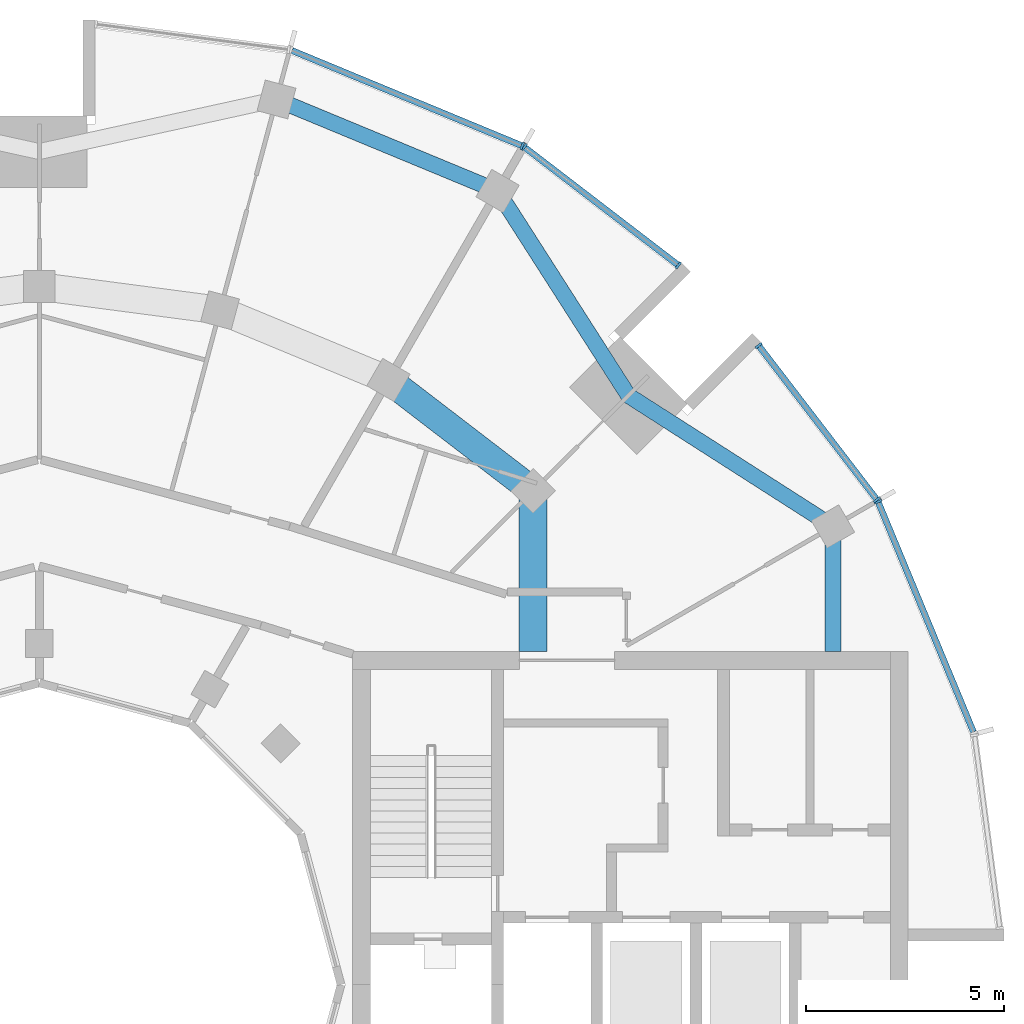
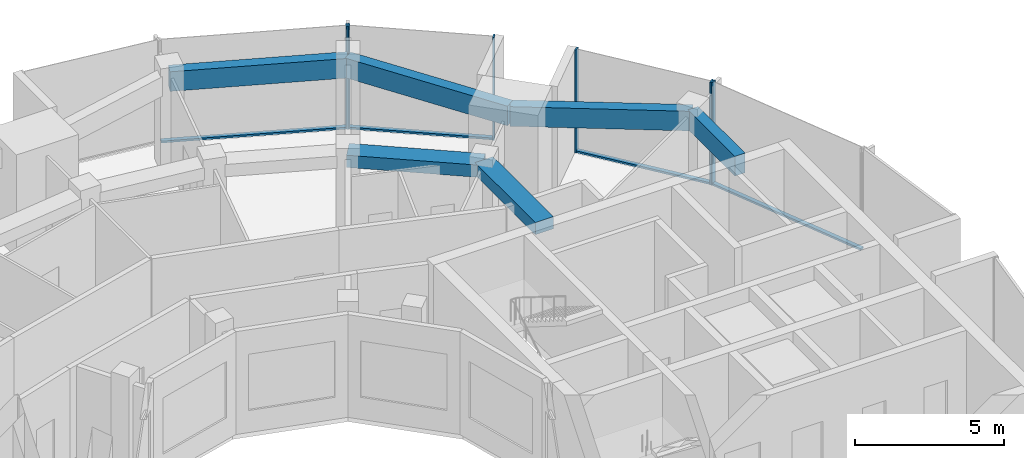
# One storey, part 6 of 15: 10 members, 6 beams, 4 elements without a shape of their own.
"""IFC4 building model written with IfcOpenShell, lengths in metres."""

import ifcopenshell
import ifcopenshell.guid

model = None  # the IFC model being written
_history = None  # IfcOwnerHistory: only IFC2X3 demands one
_inside = {}  # id of a spatial element -> (the spatial element, [elements in it])
_under = {}  # id of a project, library or spatial element -> (it, [spatial elements below it])
_declared = {}  # id of a project -> (the project, [libraries it declares])
_typed = {}  # id of a type object -> (the type object, [elements of that type])
_made_of = {}  # id of a material, layer set ... -> (it, [elements and type objects made of it])


def new_model(schema):
    """Start an empty IFC model of exactly this schema.

    Asked for "IFC4X3", IfcOpenShell would pick the latest addendum, in which some entities
    have other attributes; the version numbers below select the first issue.
    IFC2X3 requires an IfcOwnerHistory on every rooted entity: one is made here for all.
    """
    global model, _history
    if schema == "IFC4X3":
        model = ifcopenshell.file(schema_version=(4, 3, 0, 0))
    else:
        model = ifcopenshell.file(schema=schema)
    _inside.clear()
    _under.clear()
    _declared.clear()
    _typed.clear()
    _made_of.clear()
    _history = None
    if model.schema == "IFC2X3":
        org = make("IfcOrganization", Name="unknown")
        user = make(
            "IfcPersonAndOrganization",
            ThePerson=make("IfcPerson", FamilyName="unknown"),
            TheOrganization=org,
        )
        app = make(
            "IfcApplication",
            ApplicationDeveloper=org,
            Version="unknown",
            ApplicationFullName="unknown",
            ApplicationIdentifier="unknown",
        )
        _history = make(
            "IfcOwnerHistory",
            OwningUser=user,
            OwningApplication=app,
            ChangeAction="ADDED",
            CreationDate=0,
        )
    return model


def make(cls, **values):
    """One entity of the class cls with the attributes given. An attribute that is None is left unset."""
    return model.create_entity(
        cls, **{name: value for name, value in values.items() if value is not None}
    )


def rooted(cls, **values):
    """An entity with a GlobalId (a new one), such as an element, a storey or a relation."""
    return make(cls, GlobalId=ifcopenshell.guid.new(), OwnerHistory=_history, **values)


def si_unit(unit_type, name, prefix=None):
    """IfcSIUnit, for example si_unit("LENGTHUNIT", "METRE", prefix="MILLI")."""
    return make("IfcSIUnit", UnitType=unit_type, Prefix=prefix, Name=name)


def assignment(units):
    """IfcUnitAssignment: the units of a project."""
    return None if units is None else make("IfcUnitAssignment", Units=units)


def point(xyz):
    """IfcCartesianPoint."""
    return None if xyz is None else make("IfcCartesianPoint", Coordinates=xyz)


def direction(xyz):
    """IfcDirection."""
    return None if xyz is None else make("IfcDirection", DirectionRatios=xyz)


def frame(location, z_axis=None, x_axis=None):
    """IfcAxis2Placement3D, a coordinate frame: its origin and axes. An axis left out is left unset."""
    return make(
        "IfcAxis2Placement3D",
        Location=point(location),
        Axis=direction(z_axis),
        RefDirection=direction(x_axis),
    )


def frame_2d(location, x_axis=None):
    """IfcAxis2Placement2D, a coordinate frame in the plane: its origin and x axis."""
    return make(
        "IfcAxis2Placement2D", Location=point(location), RefDirection=direction(x_axis)
    )


def origin():
    """The frame at (0, 0, 0) with its axes left unset."""
    return frame((0.0, 0.0, 0.0))


def origin_2d():
    """The frame at (0, 0) in the plane with its x axis left unset."""
    return frame_2d((0.0, 0.0))


def place(relative_to, where):
    """IfcLocalPlacement: puts the frame where relative to a parent placement (None: the world)."""
    return make(
        "IfcLocalPlacement", PlacementRelTo=relative_to, RelativePlacement=where
    )


def context(
    kind, dimensions, precision=None, world=None, true_north=None, identifier=None
):
    """IfcGeometricRepresentationContext, for example the 3D "Model" context."""
    return make(
        "IfcGeometricRepresentationContext",
        ContextIdentifier=identifier,
        ContextType=kind,
        CoordinateSpaceDimension=dimensions,
        Precision=precision,
        WorldCoordinateSystem=world,
        TrueNorth=true_north,
    )


def subcontext(parent, identifier, kind, view, scale=None):
    """IfcGeometricRepresentationSubContext, for example "Body" below "Model"."""
    return make(
        "IfcGeometricRepresentationSubContext",
        ContextIdentifier=identifier,
        ContextType=kind,
        ParentContext=parent,
        TargetScale=scale,
        TargetView=view,
    )


def project(units=None, contexts=None):
    """IfcProject with its units and contexts."""
    return rooted(
        "IfcProject",
        Name="project",
        RepresentationContexts=contexts,
        UnitsInContext=assignment(units),
    )


def spatial(cls, under=None, at=None, **own):
    """A site, building, storey or space (cls), placed at a placement, below another one or the project."""
    s = rooted(cls, ObjectPlacement=at, **own)
    if under is not None:
        _under.setdefault(under.id(), (under, []))[1].append(s)
    return s


def profile(cls, at=None, kind="AREA", **sizes):
    """A parametric profile (cls). Its sizes go by their IFC names, for example OverallWidth=200.0."""
    return make(cls, ProfileType=kind, Position=at, **sizes)


def rectangle(**sizes):
    """IfcRectangleProfileDef."""
    return profile("IfcRectangleProfileDef", **sizes)


def extrude(swept, where, along, depth):
    """IfcExtrudedAreaSolid: the profile swept, set in the frame where, extruded along a direction by depth."""
    return make(
        "IfcExtrudedAreaSolid",
        SweptArea=swept,
        Position=where,
        ExtrudedDirection=direction(along),
        Depth=depth,
    )


def shape(context_of_items, identifier, shape_type, items):
    """IfcShapeRepresentation: the items that make up one representation, for example the "Body"."""
    return make(
        "IfcShapeRepresentation",
        ContextOfItems=context_of_items,
        RepresentationIdentifier=identifier,
        RepresentationType=shape_type,
        Items=items,
    )


def material(Name=None, Category=None):
    """IfcMaterial."""
    return make("IfcMaterial", Name=Name, Category=Category)


def layer(
    of_material, thickness, ventilated=None, Name=None, Category=None, Priority=None
):
    """IfcMaterialLayer: one layer of a wall or slab, of a material (None: an air gap)."""
    return make(
        "IfcMaterialLayer",
        Material=of_material,
        LayerThickness=thickness,
        IsVentilated=ventilated,
        Name=Name,
        Category=Category,
        Priority=Priority,
    )


def layer_set(layers, Name=None):
    """IfcMaterialLayerSet."""
    return make("IfcMaterialLayerSet", MaterialLayers=layers, LayerSetName=Name)


def material_profile(
    of_material, cross_section, Name=None, Category=None, Priority=None
):
    """IfcMaterialProfile: a cross section and its material."""
    return make(
        "IfcMaterialProfile",
        Name=Name,
        Material=of_material,
        Profile=cross_section,
        Priority=Priority,
        Category=Category,
    )


def profile_set(profiles, Name=None, composite=None):
    """IfcMaterialProfileSet."""
    return make(
        "IfcMaterialProfileSet",
        Name=Name,
        MaterialProfiles=profiles,
        CompositeProfile=composite,
    )


def made_of(thing, what):
    """Note that an element or type object is made of a material, layer set ...; save() writes the relation."""
    if what is not None:
        _made_of.setdefault(what.id(), (what, []))[1].append(thing)
    return thing


def type_object(cls, material=None, **own):
    """A type object (cls), such as IfcWallType, which elements share."""
    return made_of(rooted(cls, **own), material)


def element(
    cls,
    number,
    at=None,
    inside=None,
    cuts=None,
    type_object=None,
    material=None,
    context=None,
    identifier="Body",
    shape_type=None,
    held_by="IfcProductDefinitionShape",
    body=None,
    shapes=None,
    **own,
):
    """One element of the class cls, such as IfcWall. Its Tag is "e" and its number.

    at: its placement. inside: the storey or other place that contains it. cuts: it is an
    opening in that element (IfcRelVoidsElement). A single representation is given by context,
    identifier, shape_type and body (its items); several are given by shapes. held_by: the class
    of the entity that holds the representations. save() writes the other relations.
    """
    e = rooted(cls, Tag="e%d" % number, ObjectPlacement=at, **own)
    if body is not None:
        shapes = [shape(context, identifier, shape_type, body)]
    if shapes is not None:
        e.Representation = make(held_by, Representations=shapes)
    if inside is not None:
        _inside.setdefault(inside.id(), (inside, []))[1].append(e)
    if cuts is not None:
        rooted(
            "IfcRelVoidsElement", RelatingBuildingElement=cuts, RelatedOpeningElement=e
        )
    if type_object is not None:
        _typed.setdefault(type_object.id(), (type_object, []))[1].append(e)
    return made_of(e, material)


def aggregate(whole, parts):
    """IfcRelAggregates: a whole, such as a stair, and the parts it consists of."""
    return rooted("IfcRelAggregates", RelatingObject=whole, RelatedObjects=parts)


def save(model, path):
    """Write the relations noted so far, then the file.

    IfcRelAggregates (storeys below a building ...), IfcRelContainedInSpatialStructure (elements
    in a storey), IfcRelDefinesByType, IfcRelAssociatesMaterial and IfcRelDeclares: one each for
    every whole, place, type object, material and project.
    """
    for whole, parts in _under.values():
        aggregate(whole, parts)
    for where, things in _inside.values():
        rooted(
            "IfcRelContainedInSpatialStructure",
            RelatedElements=things,
            RelatingStructure=where,
        )
    for kind, things in _typed.values():
        rooted("IfcRelDefinesByType", RelatedObjects=things, RelatingType=kind)
    for what, things in _made_of.values():
        rooted("IfcRelAssociatesMaterial", RelatedObjects=things, RelatingMaterial=what)
    for by, libraries in _declared.values():
        rooted("IfcRelDeclares", RelatingContext=by, RelatedDefinitions=libraries)
    model.write(path)


model = new_model("IFC4")

# Units and contexts
model_context = context("Model", 3, precision=1e-05, world=origin(), true_north=direction((0.0, 1.0)))
body_context = subcontext(model_context, "Body", "Model", "MODEL_VIEW")
ifc_project = project(units=[si_unit("LENGTHUNIT", "METRE"), si_unit("AREAUNIT", "SQUARE_METRE"), si_unit("VOLUMEUNIT", "CUBIC_METRE"), si_unit("PLANEANGLEUNIT", "RADIAN"), si_unit("MASSUNIT", "GRAM", prefix="KILO")], contexts=[model_context])

# Site, building, storey
site_placement = place(None, origin())
site = spatial("IfcSite", under=ifc_project, at=site_placement, CompositionType="ELEMENT")
building_placement = place(site_placement, origin())
building = spatial("IfcBuilding", under=site, at=building_placement, Name="Torre Brocal", CompositionType="ELEMENT")
storey_placement = place(building_placement, frame((0.0, 0.0, 284.10009765625)))
storey = spatial("IfcBuildingStorey", under=building, at=storey_placement, Name="L65", CompositionType="ELEMENT", Elevation=284.10009765625)

# Curtain wall, member
ifc_material_1 = material(Name="Aluminium and glass", Category="aluminium")
ifc_layer = layer(ifc_material_1, 0.199951171875)
ifc_layer_set = layer_set([ifc_layer], Name="Aluminium and glass")
curtain_wall_type = type_object("IfcCurtainWallType", Name="CW-1 CURTAIN WALL 4200 HIGH", PredefinedType="NOTDEFINED", material=ifc_layer_set)
curtain_wall_1_placement = place(storey_placement, origin())
curtain_wall_1 = element("IfcCurtainWall", 1, at=curtain_wall_1_placement, inside=storey, type_object=curtain_wall_type, Name="CW-1 RUN 2", PredefinedType="NOTDEFINED")
ifc_material_2 = material(Name="Aluminium, dark anodised", Category="aluminium")
ifc_material_profile_1 = material_profile(ifc_material_2, rectangle(XDim=0.199951171875, YDim=0.06005859375, at=origin_2d()), Name="CW-1 MULLION 60X200")
ifc_profile_set_1 = profile_set([ifc_material_profile_1], Name="Aluminium, dark anodised")
member_type_1 = type_object("IfcMemberType", Name="CW-1 MULLION 60X200", PredefinedType="MULLION", material=ifc_profile_set_1)
member_1_placement = place(storey_placement, frame((101.141845703125, 87.171875, 0.0), z_axis=(0.0, 0.0, 1.0), x_axis=(-0.923879532471, -0.382683432462, 0.0)))
member_1 = element("IfcMember", 2, at=member_1_placement, type_object=member_type_1, Name="CW1-5 mullion 2", PredefinedType="MULLION", context=body_context, shape_type="SweptSolid", body=[
    extrude(rectangle(XDim=0.199951171875, YDim=0.06005859375, at=origin_2d()), origin(), (0.0, 0.0, 1.0), 4.199951171875),
])

# Curtain wall, members
curtain_wall_2_placement = place(storey_placement, origin())
curtain_wall_2 = element("IfcCurtainWall", 3, at=curtain_wall_2_placement, inside=storey, type_object=curtain_wall_type, Name="CW-1 RUN 3", PredefinedType="NOTDEFINED")
member_2_placement = place(storey_placement, frame((101.112060546875, 87.223388671875, 0.0), z_axis=(0.0, 0.0, 1.0), x_axis=(-0.793353340344, -0.608761428939, 0.0)))
member_2 = element("IfcMember", 4, at=member_2_placement, type_object=member_type_1, Name="CW1-5 mullion 1", PredefinedType="MULLION", context=body_context, shape_type="SweptSolid", body=[
    extrude(rectangle(XDim=0.199951171875, YDim=0.06005859375, at=origin_2d()), origin(), (0.0, 0.0, 1.0), 4.199951171875),
])
member_3_placement = place(storey_placement, frame((98.130615234375, 91.108642578125, 0.0), z_axis=(0.0, 0.0, 1.0), x_axis=(-0.793353340344, -0.608761428939, 0.0)))
member_3 = element("IfcMember", 5, at=member_3_placement, type_object=member_type_1, Name="CW1-5 mullion 2", PredefinedType="MULLION", context=body_context, shape_type="SweptSolid", body=[
    extrude(rectangle(XDim=0.199951171875, YDim=0.06005859375, at=origin_2d()), origin(), (0.0, 0.0, 1.0), 4.199951171875),
])

curtain_wall_3_placement = place(storey_placement, origin())
curtain_wall_3 = element("IfcCurtainWall", 6, at=curtain_wall_3_placement, inside=storey, type_object=curtain_wall_type, Name="CW-1 RUN 4", PredefinedType="NOTDEFINED")
member_4_placement = place(storey_placement, frame((96.108642578125, 93.130615234375, 0.0), z_axis=(0.0, 0.0, 1.0), x_axis=(-0.608761428939, -0.793353340344, 0.0)))
member_4 = element("IfcMember", 7, at=member_4_placement, type_object=member_type_1, Name="CW1-5 mullion 1", PredefinedType="MULLION", context=body_context, shape_type="SweptSolid", body=[
    extrude(rectangle(XDim=0.199951171875, YDim=0.06005859375, at=origin_2d()), origin(), (0.0, 0.0, 1.0), 4.199951171875),
])
member_5_placement = place(storey_placement, frame((92.223388671875, 96.112060546875, 0.0), z_axis=(0.0, 0.0, 1.0), x_axis=(-0.608761428939, -0.793353340344, 0.0)))
member_5 = element("IfcMember", 8, at=member_5_placement, type_object=member_type_1, Name="CW1-5 mullion 2", PredefinedType="MULLION", context=body_context, shape_type="SweptSolid", body=[
    extrude(rectangle(XDim=0.199951171875, YDim=0.06005859375, at=origin_2d()), origin(), (0.0, 0.0, 1.0), 4.199951171875),
])

# Curtain wall, member
curtain_wall_4_placement = place(storey_placement, origin())
curtain_wall_4 = element("IfcCurtainWall", 9, at=curtain_wall_4_placement, inside=storey, type_object=curtain_wall_type, Name="CW-1 RUN 5", PredefinedType="NOTDEFINED")
member_6_placement = place(storey_placement, frame((92.171875, 96.141845703125, 0.0), z_axis=(0.0, 0.0, 1.0), x_axis=(-0.382683432462, -0.923879532471, 0.0)))
member_6 = element("IfcMember", 10, at=member_6_placement, type_object=member_type_1, Name="CW1-5 mullion 1", PredefinedType="MULLION", context=body_context, shape_type="SweptSolid", body=[
    extrude(rectangle(XDim=0.199951171875, YDim=0.06005859375, at=origin_2d()), origin(), (0.0, 0.0, 1.0), 4.199951171875),
])

# Member
ifc_material_3 = material(Name="Aluminium, dark anodised", Category="aluminium")
ifc_material_profile_2 = material_profile(ifc_material_3, rectangle(XDim=0.159912109375, YDim=0.080078125, at=origin_2d()), Name="CW-1 TRANSOM 160X80")
ifc_profile_set_2 = profile_set([ifc_material_profile_2], Name="Aluminium, dark anodised")
member_type_2 = type_object("IfcMemberType", Name="CW-1 TRANSOM 160X80", PredefinedType="USERDEFINED", material=ifc_profile_set_2)
member_7_placement = place(storey_placement, frame((103.544677734375, 81.370361328125, 0.039794921875), z_axis=(-0.382658872004, 0.923889705363, 0.0), x_axis=(-0.923889705363, -0.382658872004, 0.0)))
member_7 = element("IfcMember", 11, at=member_7_placement, type_object=member_type_2, Name="CW1-5 transom 1.1", ObjectType="TRANSOM", PredefinedType="USERDEFINED", context=body_context, shape_type="SweptSolid", body=[
    extrude(rectangle(XDim=0.159912109375, YDim=0.080078125, at=origin_2d()), origin(), (0.0, 0.0, 1.0), 6.249267578125),
])

aggregate(curtain_wall_1, [member_1, member_7])

member_8_placement = place(storey_placement, frame((101.09375, 87.2470703125, 0.039794921875), z_axis=(-0.608749350163, 0.793362608569, 0.0), x_axis=(-0.793362608569, -0.608749350163, 0.0)))
member_8 = element("IfcMember", 12, at=member_8_placement, type_object=member_type_2, Name="CW1-5 transom 1.1", ObjectType="TRANSOM", PredefinedType="USERDEFINED", context=body_context, shape_type="SweptSolid", body=[
    extrude(rectangle(XDim=0.159912109375, YDim=0.080078125, at=origin_2d()), origin(), (0.0, 0.0, 1.0), 4.83740234375),
])

aggregate(curtain_wall_2, [member_2, member_3, member_8])

member_9_placement = place(storey_placement, frame((96.0849609375, 93.14892578125, 0.039794921875), z_axis=(-0.793362608569, 0.608749350163, 0.0), x_axis=(-0.608749350163, -0.793362608569, 0.0)))
member_9 = element("IfcMember", 13, at=member_9_placement, type_object=member_type_2, Name="CW1-5 transom 1.1", ObjectType="TRANSOM", PredefinedType="USERDEFINED", context=body_context, shape_type="SweptSolid", body=[
    extrude(rectangle(XDim=0.159912109375, YDim=0.080078125, at=origin_2d()), origin(), (0.0, 0.0, 1.0), 4.83740234375),
])

aggregate(curtain_wall_3, [member_4, member_5, member_9])

member_10_placement = place(storey_placement, frame((92.14404296875, 96.1533203125, 0.039794921875), z_axis=(-0.923889705363, 0.382658872004, 0.0), x_axis=(-0.382658872004, -0.923889705363, 0.0)))
member_10 = element("IfcMember", 14, at=member_10_placement, type_object=member_type_2, Name="CW1-5 transom 1.1", ObjectType="TRANSOM", PredefinedType="USERDEFINED", context=body_context, shape_type="SweptSolid", body=[
    extrude(rectangle(XDim=0.159912109375, YDim=0.080078125, at=origin_2d()), origin(), (0.0, 0.0, 1.0), 6.249267578125),
])

aggregate(curtain_wall_4, [member_6, member_10])

# Beams
ifc_material_4 = material(Name="Concrete C50", Category="concrete")
ifc_material_profile_3 = material_profile(ifc_material_4, rectangle(XDim=0.699951171875, YDim=0.5, at=origin_2d()), Name="RC 700X500")
ifc_profile_set_3 = profile_set([ifc_material_profile_3], Name="Concrete C50")
beam_type_1 = type_object("IfcBeamType", Name="RC BEAM 700X500 C50 TOP 3880", PredefinedType="BEAM", material=ifc_profile_set_3)
beam_1_placement = place(storey_placement, frame((92.445068359375, 87.445068359375, 3.6298828125), z_axis=(-0.793358265959, 0.6087550097, 0.0), x_axis=(-0.6087550097, -0.793358265959, 0.0)))
element("IfcBeam", 15, at=beam_1_placement, inside=storey, type_object=beam_type_1, Name="Beam BT-37", PredefinedType="BEAM", context=body_context, shape_type="SweptSolid", body=[
    extrude(rectangle(XDim=0.699951171875, YDim=0.5, at=origin_2d()), origin(), (0.0, 0.0, 1.0), 4.594482421875),
])
beam_2_placement = place(storey_placement, frame((92.445068359375, 87.445068359375, 3.6298828125), z_axis=(0.0, -1.0, 0.0), x_axis=(1.0, 0.0, 0.0)))
element("IfcBeam", 16, at=beam_2_placement, inside=storey, type_object=beam_type_1, Name="Beam BT-37", PredefinedType="BEAM", context=body_context, shape_type="SweptSolid", body=[
    extrude(rectangle(XDim=0.699951171875, YDim=0.5, at=origin_2d()), origin(), (0.0, 0.0, 1.0), 4.045166015625),
])
ifc_material_5 = material(Name="Concrete C50", Category="concrete")
ifc_material_profile_4 = material_profile(ifc_material_5, rectangle(XDim=0.39990234375, YDim=0.800048828125, at=origin_2d()), Name="RC 400X800")
ifc_profile_set_4 = profile_set([ifc_material_profile_4], Name="Concrete C50")
beam_type_2 = type_object("IfcBeamType", Name="RC SPANDREL BEAM 400X800 C50 TOP 3880", PredefinedType="SPANDREL", material=ifc_profile_set_4)
for number, where, z_axis, x_axis, name in (
    (17, (100.005126953125, 86.550048828125, 3.47998046875), (-0.842328620069, 0.538964280647, 0.0), (-0.538964280647, -0.842328620069, 0.0), "Beam BT-47"),
    (18, (94.84912109375, 89.84912109375, 3.47998046875), (-0.538964280647, 0.842328620069, 0.0), (-0.842328620069, -0.538964280647, 0.0), "Beam BT-47"),
):
    element("IfcBeam", number, at=place(storey_placement, frame(where, z_axis=z_axis, x_axis=x_axis)), inside=storey, type_object=beam_type_2, Name=name, PredefinedType="SPANDREL", context=body_context, shape_type="SweptSolid", body=[
        extrude(rectangle(XDim=0.39990234375, YDim=0.800048828125, at=origin_2d()), origin(), (0.0, 0.0, 1.0), 6.12109375),
    ])
beam_3_placement = place(storey_placement, frame((91.550048828125, 95.005126953125, 3.47998046875), z_axis=(-0.923870278372, 0.38270577307, 0.0), x_axis=(-0.38270577307, -0.923870278372, 0.0)))
element("IfcBeam", 19, at=beam_3_placement, inside=storey, type_object=beam_type_2, Name="Beam BT-47", PredefinedType="SPANDREL", context=body_context, shape_type="SweptSolid", body=[
    extrude(rectangle(XDim=0.39990234375, YDim=0.800048828125, at=origin_2d()), origin(), (0.0, 0.0, 1.0), 6.0302734375),
])
beam_4_placement = place(storey_placement, frame((100.005126953125, 86.550048828125, 3.47998046875), z_axis=(0.0, -1.0, 0.0), x_axis=(1.0, 0.0, 0.0)))
element("IfcBeam", 20, at=beam_4_placement, inside=storey, type_object=beam_type_2, Name="Beam BT-47", PredefinedType="SPANDREL", context=body_context, shape_type="SweptSolid", body=[
    extrude(rectangle(XDim=0.39990234375, YDim=0.800048828125, at=origin_2d()), origin(), (0.0, 0.0, 1.0), 3.150146484375),
])

save(model, "model.ifc")
